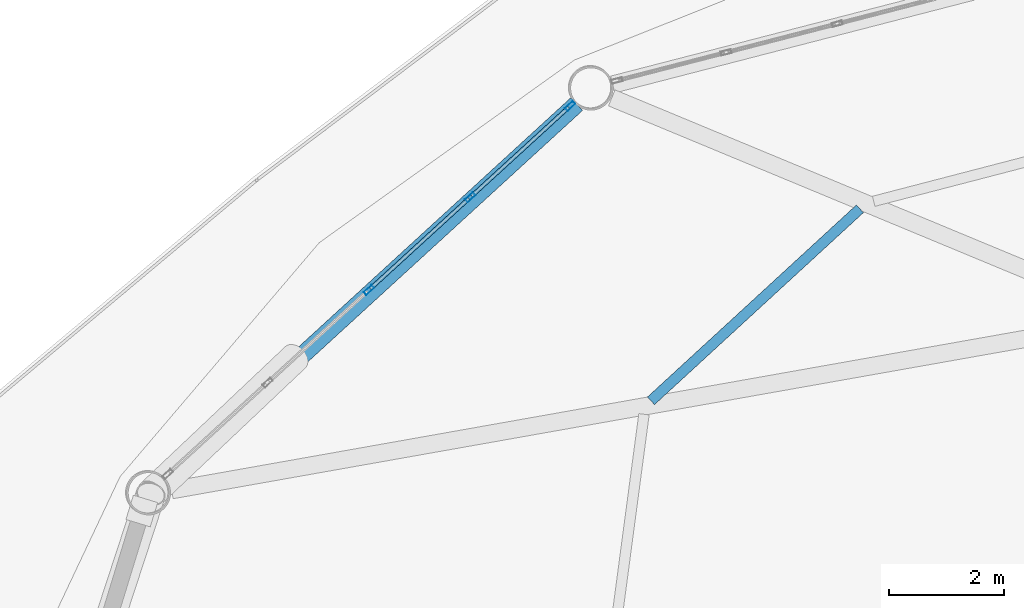
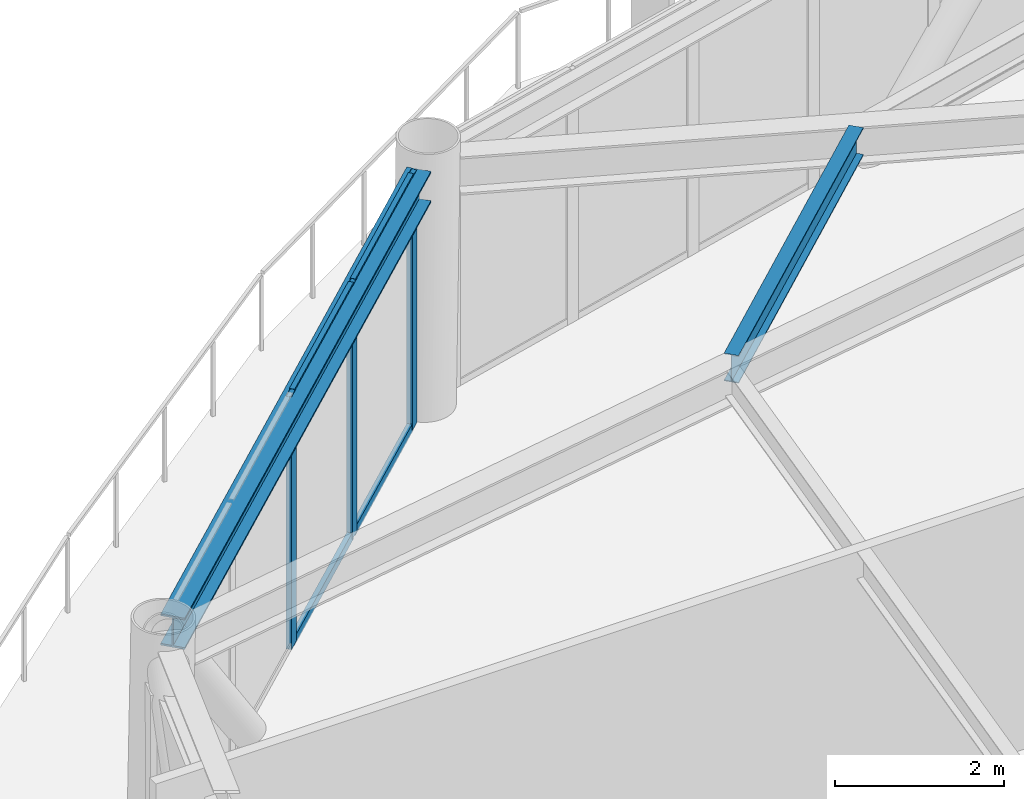
# One storey, part 15 of 23: 7 members, 2 beams, 1 element without a shape of its own.
"""IFC4 building model written with IfcOpenShell, lengths in metres."""

import ifcopenshell
import ifcopenshell.guid

model = None  # the IFC model being written
_history = None  # IfcOwnerHistory: only IFC2X3 demands one
_inside = {}  # id of a spatial element -> (the spatial element, [elements in it])
_under = {}  # id of a project, library or spatial element -> (it, [spatial elements below it])
_declared = {}  # id of a project -> (the project, [libraries it declares])
_typed = {}  # id of a type object -> (the type object, [elements of that type])
_made_of = {}  # id of a material, layer set ... -> (it, [elements and type objects made of it])


def new_model(schema):
    """Start an empty IFC model of exactly this schema.

    Asked for "IFC4X3", IfcOpenShell would pick the latest addendum, in which some entities
    have other attributes; the version numbers below select the first issue.
    IFC2X3 requires an IfcOwnerHistory on every rooted entity: one is made here for all.
    """
    global model, _history
    if schema == "IFC4X3":
        model = ifcopenshell.file(schema_version=(4, 3, 0, 0))
    else:
        model = ifcopenshell.file(schema=schema)
    _inside.clear()
    _under.clear()
    _declared.clear()
    _typed.clear()
    _made_of.clear()
    _history = None
    if model.schema == "IFC2X3":
        org = make("IfcOrganization", Name="unknown")
        user = make(
            "IfcPersonAndOrganization",
            ThePerson=make("IfcPerson", FamilyName="unknown"),
            TheOrganization=org,
        )
        app = make(
            "IfcApplication",
            ApplicationDeveloper=org,
            Version="unknown",
            ApplicationFullName="unknown",
            ApplicationIdentifier="unknown",
        )
        _history = make(
            "IfcOwnerHistory",
            OwningUser=user,
            OwningApplication=app,
            ChangeAction="ADDED",
            CreationDate=0,
        )
    return model


def make(cls, **values):
    """One entity of the class cls with the attributes given. An attribute that is None is left unset."""
    return model.create_entity(
        cls, **{name: value for name, value in values.items() if value is not None}
    )


def rooted(cls, **values):
    """An entity with a GlobalId (a new one), such as an element, a storey or a relation."""
    return make(cls, GlobalId=ifcopenshell.guid.new(), OwnerHistory=_history, **values)


def si_unit(unit_type, name, prefix=None):
    """IfcSIUnit, for example si_unit("LENGTHUNIT", "METRE", prefix="MILLI")."""
    return make("IfcSIUnit", UnitType=unit_type, Prefix=prefix, Name=name)


def assignment(units):
    """IfcUnitAssignment: the units of a project."""
    return None if units is None else make("IfcUnitAssignment", Units=units)


def point(xyz):
    """IfcCartesianPoint."""
    return None if xyz is None else make("IfcCartesianPoint", Coordinates=xyz)


def direction(xyz):
    """IfcDirection."""
    return None if xyz is None else make("IfcDirection", DirectionRatios=xyz)


def frame(location, z_axis=None, x_axis=None):
    """IfcAxis2Placement3D, a coordinate frame: its origin and axes. An axis left out is left unset."""
    return make(
        "IfcAxis2Placement3D",
        Location=point(location),
        Axis=direction(z_axis),
        RefDirection=direction(x_axis),
    )


def frame_2d(location, x_axis=None):
    """IfcAxis2Placement2D, a coordinate frame in the plane: its origin and x axis."""
    return make(
        "IfcAxis2Placement2D", Location=point(location), RefDirection=direction(x_axis)
    )


def origin():
    """The frame at (0, 0, 0) with its axes left unset."""
    return frame((0.0, 0.0, 0.0))


def origin_2d():
    """The frame at (0, 0) in the plane with its x axis left unset."""
    return frame_2d((0.0, 0.0))


def place(relative_to, where):
    """IfcLocalPlacement: puts the frame where relative to a parent placement (None: the world)."""
    return make(
        "IfcLocalPlacement", PlacementRelTo=relative_to, RelativePlacement=where
    )


def context(
    kind, dimensions, precision=None, world=None, true_north=None, identifier=None
):
    """IfcGeometricRepresentationContext, for example the 3D "Model" context."""
    return make(
        "IfcGeometricRepresentationContext",
        ContextIdentifier=identifier,
        ContextType=kind,
        CoordinateSpaceDimension=dimensions,
        Precision=precision,
        WorldCoordinateSystem=world,
        TrueNorth=true_north,
    )


def subcontext(parent, identifier, kind, view, scale=None):
    """IfcGeometricRepresentationSubContext, for example "Body" below "Model"."""
    return make(
        "IfcGeometricRepresentationSubContext",
        ContextIdentifier=identifier,
        ContextType=kind,
        ParentContext=parent,
        TargetScale=scale,
        TargetView=view,
    )


def project(units=None, contexts=None):
    """IfcProject with its units and contexts."""
    return rooted(
        "IfcProject",
        Name="project",
        RepresentationContexts=contexts,
        UnitsInContext=assignment(units),
    )


def spatial(cls, under=None, at=None, **own):
    """A site, building, storey or space (cls), placed at a placement, below another one or the project."""
    s = rooted(cls, ObjectPlacement=at, **own)
    if under is not None:
        _under.setdefault(under.id(), (under, []))[1].append(s)
    return s


def profile(cls, at=None, kind="AREA", **sizes):
    """A parametric profile (cls). Its sizes go by their IFC names, for example OverallWidth=200.0."""
    return make(cls, ProfileType=kind, Position=at, **sizes)


def hollow_rectangle(**sizes):
    """IfcRectangleHollowProfileDef."""
    return profile("IfcRectangleHollowProfileDef", **sizes)


def i_section(**sizes):
    """IfcIShapeProfileDef."""
    return profile("IfcIShapeProfileDef", **sizes)


def extrude(swept, where, along, depth):
    """IfcExtrudedAreaSolid: the profile swept, set in the frame where, extruded along a direction by depth."""
    return make(
        "IfcExtrudedAreaSolid",
        SweptArea=swept,
        Position=where,
        ExtrudedDirection=direction(along),
        Depth=depth,
    )


def shape(context_of_items, identifier, shape_type, items):
    """IfcShapeRepresentation: the items that make up one representation, for example the "Body"."""
    return make(
        "IfcShapeRepresentation",
        ContextOfItems=context_of_items,
        RepresentationIdentifier=identifier,
        RepresentationType=shape_type,
        Items=items,
    )


def material(Name=None, Category=None):
    """IfcMaterial."""
    return make("IfcMaterial", Name=Name, Category=Category)


def layer(
    of_material, thickness, ventilated=None, Name=None, Category=None, Priority=None
):
    """IfcMaterialLayer: one layer of a wall or slab, of a material (None: an air gap)."""
    return make(
        "IfcMaterialLayer",
        Material=of_material,
        LayerThickness=thickness,
        IsVentilated=ventilated,
        Name=Name,
        Category=Category,
        Priority=Priority,
    )


def layer_set(layers, Name=None):
    """IfcMaterialLayerSet."""
    return make("IfcMaterialLayerSet", MaterialLayers=layers, LayerSetName=Name)


def material_profile(
    of_material, cross_section, Name=None, Category=None, Priority=None
):
    """IfcMaterialProfile: a cross section and its material."""
    return make(
        "IfcMaterialProfile",
        Name=Name,
        Material=of_material,
        Profile=cross_section,
        Priority=Priority,
        Category=Category,
    )


def profile_set(profiles, Name=None, composite=None):
    """IfcMaterialProfileSet."""
    return make(
        "IfcMaterialProfileSet",
        Name=Name,
        MaterialProfiles=profiles,
        CompositeProfile=composite,
    )


def made_of(thing, what):
    """Note that an element or type object is made of a material, layer set ...; save() writes the relation."""
    if what is not None:
        _made_of.setdefault(what.id(), (what, []))[1].append(thing)
    return thing


def type_object(cls, material=None, **own):
    """A type object (cls), such as IfcWallType, which elements share."""
    return made_of(rooted(cls, **own), material)


def element(
    cls,
    number,
    at=None,
    inside=None,
    cuts=None,
    type_object=None,
    material=None,
    context=None,
    identifier="Body",
    shape_type=None,
    held_by="IfcProductDefinitionShape",
    body=None,
    shapes=None,
    **own,
):
    """One element of the class cls, such as IfcWall. Its Tag is "e" and its number.

    at: its placement. inside: the storey or other place that contains it. cuts: it is an
    opening in that element (IfcRelVoidsElement). A single representation is given by context,
    identifier, shape_type and body (its items); several are given by shapes. held_by: the class
    of the entity that holds the representations. save() writes the other relations.
    """
    e = rooted(cls, Tag="e%d" % number, ObjectPlacement=at, **own)
    if body is not None:
        shapes = [shape(context, identifier, shape_type, body)]
    if shapes is not None:
        e.Representation = make(held_by, Representations=shapes)
    if inside is not None:
        _inside.setdefault(inside.id(), (inside, []))[1].append(e)
    if cuts is not None:
        rooted(
            "IfcRelVoidsElement", RelatingBuildingElement=cuts, RelatedOpeningElement=e
        )
    if type_object is not None:
        _typed.setdefault(type_object.id(), (type_object, []))[1].append(e)
    return made_of(e, material)


def aggregate(whole, parts):
    """IfcRelAggregates: a whole, such as a stair, and the parts it consists of."""
    return rooted("IfcRelAggregates", RelatingObject=whole, RelatedObjects=parts)


def save(model, path):
    """Write the relations noted so far, then the file.

    IfcRelAggregates (storeys below a building ...), IfcRelContainedInSpatialStructure (elements
    in a storey), IfcRelDefinesByType, IfcRelAssociatesMaterial and IfcRelDeclares: one each for
    every whole, place, type object, material and project.
    """
    for whole, parts in _under.values():
        aggregate(whole, parts)
    for where, things in _inside.values():
        rooted(
            "IfcRelContainedInSpatialStructure",
            RelatedElements=things,
            RelatingStructure=where,
        )
    for kind, things in _typed.values():
        rooted("IfcRelDefinesByType", RelatedObjects=things, RelatingType=kind)
    for what, things in _made_of.values():
        rooted("IfcRelAssociatesMaterial", RelatedObjects=things, RelatingMaterial=what)
    for by, libraries in _declared.values():
        rooted("IfcRelDeclares", RelatingContext=by, RelatedDefinitions=libraries)
    model.write(path)


model = new_model("IFC4")

# Units and contexts
model_context = context("Model", 3, precision=1e-05, world=origin(), true_north=direction((0.0, 1.0)))
body_context = subcontext(model_context, "Body", "Model", "MODEL_VIEW")
ifc_project = project(units=[si_unit("LENGTHUNIT", "METRE"), si_unit("AREAUNIT", "SQUARE_METRE"), si_unit("VOLUMEUNIT", "CUBIC_METRE"), si_unit("PLANEANGLEUNIT", "RADIAN"), si_unit("MASSUNIT", "GRAM", prefix="KILO")], contexts=[model_context])

# Site, building, storey
site_placement = place(None, origin())
site = spatial("IfcSite", under=ifc_project, at=site_placement, CompositionType="ELEMENT")
building_placement = place(site_placement, origin())
building = spatial("IfcBuilding", under=site, at=building_placement, Name="Varnakorn Sky Granary", CompositionType="ELEMENT")
storey_placement = place(building_placement, frame((0.0, 0.0, 130.5)))
storey = spatial("IfcBuildingStorey", under=building, at=storey_placement, Name="L32", CompositionType="ELEMENT", Elevation=130.5)

# Beams
ifc_material_1 = material(Name="Steel S355JR", Category="steel")
ifc_material_profile_1 = material_profile(ifc_material_1, i_section(OverallWidth=0.179931640625, OverallDepth=0.39990234375, WebThickness=0.008544921875, FlangeThickness=0.013427734375, at=origin_2d()), Name="IPE 400")
ifc_profile_set_1 = profile_set([ifc_material_profile_1], Name="Steel S355JR")
beam_type_1 = type_object("IfcBeamType", Name="BM-SEC-Z3", PredefinedType="BEAM", material=ifc_profile_set_1)
beam_1_placement = place(storey_placement, frame((-7.31689453125, 14.51513671875, 3.43994140625), z_axis=(-0.736346228318, -0.676604930548, 0.0), x_axis=(0.676604930548, -0.736346228318, 0.0)))
element("IfcBeam", 1, at=beam_1_placement, inside=storey, type_object=beam_type_1, Name="Secondary Floor Chord Beam MSB05 L32", PredefinedType="BEAM", context=body_context, shape_type="SweptSolid", body=[
    extrude(i_section(OverallWidth=0.179931640625, OverallDepth=0.39990234375, WebThickness=0.008544921875, FlangeThickness=0.013427734375, at=origin_2d()), origin(), (0.0, 0.0, 1.0), 4.92041015625),
])
ifc_material_profile_2 = material_profile(ifc_material_1, i_section(OverallWidth=0.300048828125, OverallDepth=0.449951171875, WebThickness=0.013916015625, FlangeThickness=0.02587890625, at=origin_2d()), Name="HE 450 B")
ifc_profile_set_2 = profile_set([ifc_material_profile_2], Name="Steel S355JR")
beam_type_2 = type_object("IfcBeamType", Name="BM-SPD-Z3", PredefinedType="SPANDREL", material=ifc_profile_set_2)
beam_2_placement = place(storey_placement, frame((-12.2275390625, 16.33203125, 3.4150390625), z_axis=(-0.737648769429, -0.6751846362, 0.0), x_axis=(0.6751846362, -0.737648769429, 0.0)))
element("IfcBeam", 2, at=beam_2_placement, inside=storey, type_object=beam_type_2, Name="Perimeter Spandrel Ring Beam RB05 L32", PredefinedType="SPANDREL", context=body_context, shape_type="SweptSolid", body=[
    extrude(i_section(OverallWidth=0.300048828125, OverallDepth=0.449951171875, WebThickness=0.013916015625, FlangeThickness=0.02587890625, at=origin_2d()), origin(), (0.0, 0.0, 1.0), 9.646240234375),
])

# Curtain wall, members
ifc_material_2 = material(Name="Anodised Bronze Aluminium Alloy 6063-T6", Category="aluminium")
ifc_layer = layer(ifc_material_2, 0.179931640625, Name="Anodised Bronze Aluminium Alloy 6063-T6")
ifc_layer_set = layer_set([ifc_layer], Name="Anodised Bronze Aluminium Alloy 6063-T6")
curtain_wall_type = type_object("IfcCurtainWallType", Name="CW-FRM-2", PredefinedType="USERDEFINED", material=ifc_layer_set)
curtain_wall_placement = place(storey_placement, origin())
curtain_wall = element("IfcCurtainWall", 3, at=curtain_wall_placement, inside=storey, type_object=curtain_wall_type, Name="Unitised Curtain Wall CW4 CW-L32-B05", ObjectType="CURTAIN WALL", PredefinedType="USERDEFINED")
ifc_material_profile_3 = material_profile(ifc_material_2, hollow_rectangle(XDim=0.070068359375, YDim=0.18505859375, WallThickness=0.00390625, at=origin_2d()), Name="ALU MULL 70x185")
ifc_profile_set_3 = profile_set([ifc_material_profile_3], Name="Anodised Bronze Aluminium Alloy 6063-T6")
member_type_1 = type_object("IfcMemberType", Name="CW-FRM-2-MULL", PredefinedType="MULLION", material=ifc_profile_set_3)
member_1_placement = place(storey_placement, frame((-15.8310546875, 13.107666015625, 0.0), z_axis=(0.0, 0.0, 1.0), x_axis=(-0.67491752589, 0.737893171975, 0.0)))
member_1 = element("IfcMember", 4, at=member_1_placement, type_object=member_type_1, Name="CW4 mullion 3", PredefinedType="MULLION", context=body_context, shape_type="SweptSolid", body=[
    extrude(hollow_rectangle(XDim=0.070068359375, YDim=0.18505859375, WallThickness=0.00390625, at=origin_2d()), origin(), (0.0, 0.0, 1.0), 3.639892578125),
])
member_2_placement = place(storey_placement, frame((-14.07373046875, 14.715087890625, 0.0), z_axis=(0.0, 0.0, 1.0), x_axis=(-0.67491752589, 0.737893171975, 0.0)))
member_2 = element("IfcMember", 5, at=member_2_placement, type_object=member_type_1, Name="CW4 mullion 4", PredefinedType="MULLION", context=body_context, shape_type="SweptSolid", body=[
    extrude(hollow_rectangle(XDim=0.070068359375, YDim=0.18505859375, WallThickness=0.00390625, at=origin_2d()), origin(), (0.0, 0.0, 1.0), 3.639892578125),
])
member_3_placement = place(storey_placement, frame((-12.34228515625, 16.298583984375, 0.0), z_axis=(0.0, 0.0, 1.0), x_axis=(-0.67491752589, 0.737893171975, 0.0)))
member_3 = element("IfcMember", 6, at=member_3_placement, type_object=member_type_1, Name="CW4 mullion 5", PredefinedType="MULLION", context=body_context, shape_type="SweptSolid", body=[
    extrude(hollow_rectangle(XDim=0.070068359375, YDim=0.18505859375, WallThickness=0.00390625, at=origin_2d()), origin(), (0.0, 0.0, 1.0), 3.639892578125),
])
ifc_material_profile_4 = material_profile(ifc_material_2, hollow_rectangle(XDim=0.06494140625, YDim=0.1201171875, WallThickness=0.00341796875, at=origin_2d()), Name="ALU TRAN 65x120")
ifc_profile_set_4 = profile_set([ifc_material_profile_4], Name="Anodised Bronze Aluminium Alloy 6063-T6")
member_type_2 = type_object("IfcMemberType", Name="CW-FRM-2-TRAN", PredefinedType="USERDEFINED", material=ifc_profile_set_4)
member_4_placement = place(storey_placement, frame((-15.80517578125, 13.13134765625, 0.032470703125), z_axis=(0.737881514126, 0.674930271295, 0.0), x_axis=(-0.674930271295, 0.737881514126, 0.0)))
member_4 = element("IfcMember", 7, at=member_4_placement, type_object=member_type_2, Name="CW4 transom 3.1", ObjectType="TRANSOM", PredefinedType="USERDEFINED", context=body_context, shape_type="SweptSolid", body=[
    extrude(hollow_rectangle(XDim=0.06494140625, YDim=0.1201171875, WallThickness=0.00341796875, at=origin_2d()), origin(), (0.0, 0.0, 1.0), 2.3115234375),
])
member_5_placement = place(storey_placement, frame((-15.80517578125, 13.13134765625, 3.607421875), z_axis=(0.737881514126, 0.674930271295, 0.0), x_axis=(-0.674930271295, 0.737881514126, 0.0)))
member_5 = element("IfcMember", 8, at=member_5_placement, type_object=member_type_2, Name="CW4 transom 3.2", ObjectType="TRANSOM", PredefinedType="USERDEFINED", context=body_context, shape_type="SweptSolid", body=[
    extrude(hollow_rectangle(XDim=0.06494140625, YDim=0.1201171875, WallThickness=0.00341796875, at=origin_2d()), origin(), (0.0, 0.0, 1.0), 2.3115234375),
])
member_6_placement = place(storey_placement, frame((-14.0478515625, 14.738525390625, 0.032470703125), z_axis=(0.73783041194, 0.674986135574, 0.0), x_axis=(-0.674986135574, 0.73783041194, 0.0)))
member_6 = element("IfcMember", 9, at=member_6_placement, type_object=member_type_2, Name="CW4 transom 4.1", ObjectType="TRANSOM", PredefinedType="USERDEFINED", context=body_context, shape_type="SweptSolid", body=[
    extrude(hollow_rectangle(XDim=0.06494140625, YDim=0.1201171875, WallThickness=0.00341796875, at=origin_2d()), origin(), (0.0, 0.0, 1.0), 2.276611328125),
])
member_7_placement = place(storey_placement, frame((-14.0478515625, 14.738525390625, 3.607421875), z_axis=(0.73783041194, 0.674986135574, 0.0), x_axis=(-0.674986135574, 0.73783041194, 0.0)))
member_7 = element("IfcMember", 10, at=member_7_placement, type_object=member_type_2, Name="CW4 transom 4.2", ObjectType="TRANSOM", PredefinedType="USERDEFINED", context=body_context, shape_type="SweptSolid", body=[
    extrude(hollow_rectangle(XDim=0.06494140625, YDim=0.1201171875, WallThickness=0.00341796875, at=origin_2d()), origin(), (0.0, 0.0, 1.0), 2.276611328125),
])
aggregate(curtain_wall, [member_1, member_2, member_3, member_4, member_5, member_6, member_7])

save(model, "model.ifc")
